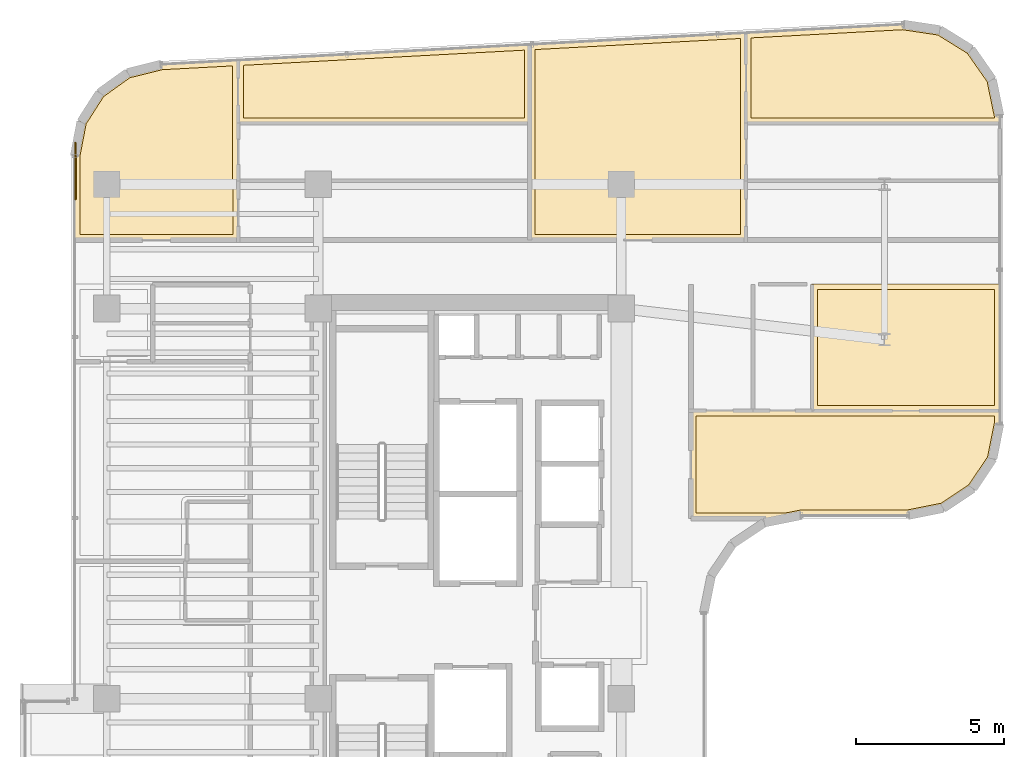
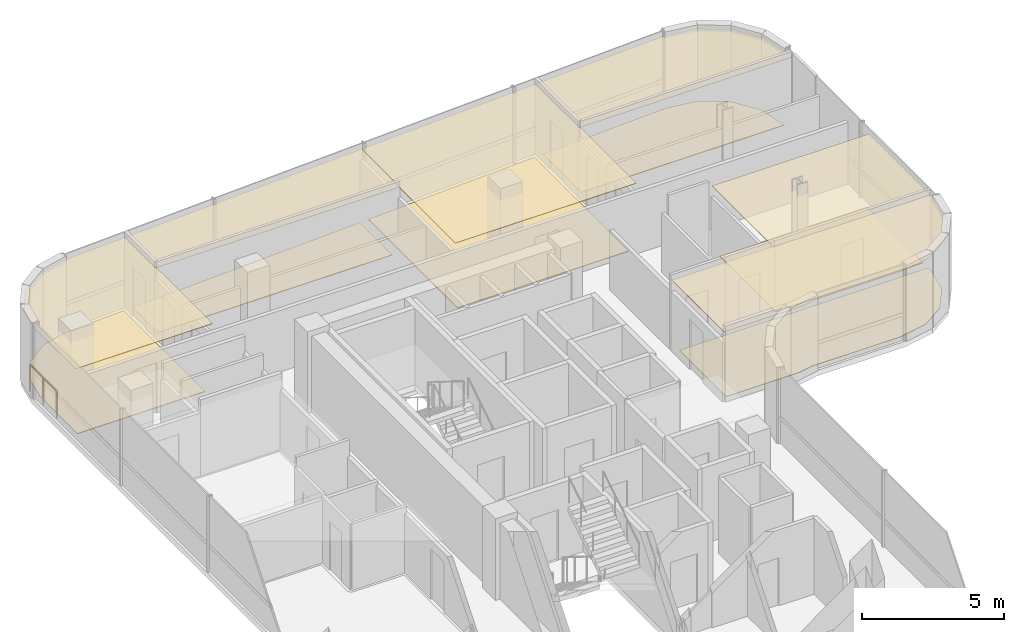
# One storey, part 24 of 24: 12 coverings, 1 railing.
"""IFC4 building model written with IfcOpenShell, lengths in metres."""

import ifcopenshell
import ifcopenshell.guid

model = None  # the IFC model being written
_history = None  # IfcOwnerHistory: only IFC2X3 demands one
_inside = {}  # id of a spatial element -> (the spatial element, [elements in it])
_under = {}  # id of a project, library or spatial element -> (it, [spatial elements below it])
_declared = {}  # id of a project -> (the project, [libraries it declares])
_typed = {}  # id of a type object -> (the type object, [elements of that type])
_made_of = {}  # id of a material, layer set ... -> (it, [elements and type objects made of it])


def new_model(schema):
    """Start an empty IFC model of exactly this schema.

    Asked for "IFC4X3", IfcOpenShell would pick the latest addendum, in which some entities
    have other attributes; the version numbers below select the first issue.
    IFC2X3 requires an IfcOwnerHistory on every rooted entity: one is made here for all.
    """
    global model, _history
    if schema == "IFC4X3":
        model = ifcopenshell.file(schema_version=(4, 3, 0, 0))
    else:
        model = ifcopenshell.file(schema=schema)
    _inside.clear()
    _under.clear()
    _declared.clear()
    _typed.clear()
    _made_of.clear()
    _history = None
    if model.schema == "IFC2X3":
        org = make("IfcOrganization", Name="unknown")
        user = make(
            "IfcPersonAndOrganization",
            ThePerson=make("IfcPerson", FamilyName="unknown"),
            TheOrganization=org,
        )
        app = make(
            "IfcApplication",
            ApplicationDeveloper=org,
            Version="unknown",
            ApplicationFullName="unknown",
            ApplicationIdentifier="unknown",
        )
        _history = make(
            "IfcOwnerHistory",
            OwningUser=user,
            OwningApplication=app,
            ChangeAction="ADDED",
            CreationDate=0,
        )
    return model


def make(cls, **values):
    """One entity of the class cls with the attributes given. An attribute that is None is left unset."""
    return model.create_entity(
        cls, **{name: value for name, value in values.items() if value is not None}
    )


def rooted(cls, **values):
    """An entity with a GlobalId (a new one), such as an element, a storey or a relation."""
    return make(cls, GlobalId=ifcopenshell.guid.new(), OwnerHistory=_history, **values)


def si_unit(unit_type, name, prefix=None):
    """IfcSIUnit, for example si_unit("LENGTHUNIT", "METRE", prefix="MILLI")."""
    return make("IfcSIUnit", UnitType=unit_type, Prefix=prefix, Name=name)


def assignment(units):
    """IfcUnitAssignment: the units of a project."""
    return None if units is None else make("IfcUnitAssignment", Units=units)


def point(xyz):
    """IfcCartesianPoint."""
    return None if xyz is None else make("IfcCartesianPoint", Coordinates=xyz)


def direction(xyz):
    """IfcDirection."""
    return None if xyz is None else make("IfcDirection", DirectionRatios=xyz)


def frame(location, z_axis=None, x_axis=None):
    """IfcAxis2Placement3D, a coordinate frame: its origin and axes. An axis left out is left unset."""
    return make(
        "IfcAxis2Placement3D",
        Location=point(location),
        Axis=direction(z_axis),
        RefDirection=direction(x_axis),
    )


def frame_2d(location, x_axis=None):
    """IfcAxis2Placement2D, a coordinate frame in the plane: its origin and x axis."""
    return make(
        "IfcAxis2Placement2D", Location=point(location), RefDirection=direction(x_axis)
    )


def origin():
    """The frame at (0, 0, 0) with its axes left unset."""
    return frame((0.0, 0.0, 0.0))


def origin_2d():
    """The frame at (0, 0) in the plane with its x axis left unset."""
    return frame_2d((0.0, 0.0))


def place(relative_to, where):
    """IfcLocalPlacement: puts the frame where relative to a parent placement (None: the world)."""
    return make(
        "IfcLocalPlacement", PlacementRelTo=relative_to, RelativePlacement=where
    )


def context(
    kind, dimensions, precision=None, world=None, true_north=None, identifier=None
):
    """IfcGeometricRepresentationContext, for example the 3D "Model" context."""
    return make(
        "IfcGeometricRepresentationContext",
        ContextIdentifier=identifier,
        ContextType=kind,
        CoordinateSpaceDimension=dimensions,
        Precision=precision,
        WorldCoordinateSystem=world,
        TrueNorth=true_north,
    )


def subcontext(parent, identifier, kind, view, scale=None):
    """IfcGeometricRepresentationSubContext, for example "Body" below "Model"."""
    return make(
        "IfcGeometricRepresentationSubContext",
        ContextIdentifier=identifier,
        ContextType=kind,
        ParentContext=parent,
        TargetScale=scale,
        TargetView=view,
    )


def project(units=None, contexts=None):
    """IfcProject with its units and contexts."""
    return rooted(
        "IfcProject",
        Name="project",
        RepresentationContexts=contexts,
        UnitsInContext=assignment(units),
    )


def spatial(cls, under=None, at=None, **own):
    """A site, building, storey or space (cls), placed at a placement, below another one or the project."""
    s = rooted(cls, ObjectPlacement=at, **own)
    if under is not None:
        _under.setdefault(under.id(), (under, []))[1].append(s)
    return s


def polyline(points):
    """IfcPolyline through the points."""
    return make("IfcPolyline", Points=[point(p) for p in points])


def profile(cls, at=None, kind="AREA", **sizes):
    """A parametric profile (cls). Its sizes go by their IFC names, for example OverallWidth=200.0."""
    return make(cls, ProfileType=kind, Position=at, **sizes)


def circle(**sizes):
    """IfcCircleProfileDef."""
    return profile("IfcCircleProfileDef", **sizes)


def outline(outer, holes=None, kind="AREA"):
    """IfcArbitraryClosedProfileDef: a profile drawn as a closed curve; with holes, ...WithVoids."""
    if holes is None:
        return make("IfcArbitraryClosedProfileDef", ProfileType=kind, OuterCurve=outer)
    return make(
        "IfcArbitraryProfileDefWithVoids",
        ProfileType=kind,
        OuterCurve=outer,
        InnerCurves=holes,
    )


def extrude(swept, where, along, depth):
    """IfcExtrudedAreaSolid: the profile swept, set in the frame where, extruded along a direction by depth."""
    return make(
        "IfcExtrudedAreaSolid",
        SweptArea=swept,
        Position=where,
        ExtrudedDirection=direction(along),
        Depth=depth,
    )


def shape(context_of_items, identifier, shape_type, items):
    """IfcShapeRepresentation: the items that make up one representation, for example the "Body"."""
    return make(
        "IfcShapeRepresentation",
        ContextOfItems=context_of_items,
        RepresentationIdentifier=identifier,
        RepresentationType=shape_type,
        Items=items,
    )


def material(Name=None, Category=None):
    """IfcMaterial."""
    return make("IfcMaterial", Name=Name, Category=Category)


def layer(
    of_material, thickness, ventilated=None, Name=None, Category=None, Priority=None
):
    """IfcMaterialLayer: one layer of a wall or slab, of a material (None: an air gap)."""
    return make(
        "IfcMaterialLayer",
        Material=of_material,
        LayerThickness=thickness,
        IsVentilated=ventilated,
        Name=Name,
        Category=Category,
        Priority=Priority,
    )


def layer_set(layers, Name=None):
    """IfcMaterialLayerSet."""
    return make("IfcMaterialLayerSet", MaterialLayers=layers, LayerSetName=Name)


def made_of(thing, what):
    """Note that an element or type object is made of a material, layer set ...; save() writes the relation."""
    if what is not None:
        _made_of.setdefault(what.id(), (what, []))[1].append(thing)
    return thing


def type_object(cls, material=None, **own):
    """A type object (cls), such as IfcWallType, which elements share."""
    return made_of(rooted(cls, **own), material)


def element(
    cls,
    number,
    at=None,
    inside=None,
    cuts=None,
    type_object=None,
    material=None,
    context=None,
    identifier="Body",
    shape_type=None,
    held_by="IfcProductDefinitionShape",
    body=None,
    shapes=None,
    **own,
):
    """One element of the class cls, such as IfcWall. Its Tag is "e" and its number.

    at: its placement. inside: the storey or other place that contains it. cuts: it is an
    opening in that element (IfcRelVoidsElement). A single representation is given by context,
    identifier, shape_type and body (its items); several are given by shapes. held_by: the class
    of the entity that holds the representations. save() writes the other relations.
    """
    e = rooted(cls, Tag="e%d" % number, ObjectPlacement=at, **own)
    if body is not None:
        shapes = [shape(context, identifier, shape_type, body)]
    if shapes is not None:
        e.Representation = make(held_by, Representations=shapes)
    if inside is not None:
        _inside.setdefault(inside.id(), (inside, []))[1].append(e)
    if cuts is not None:
        rooted(
            "IfcRelVoidsElement", RelatingBuildingElement=cuts, RelatedOpeningElement=e
        )
    if type_object is not None:
        _typed.setdefault(type_object.id(), (type_object, []))[1].append(e)
    return made_of(e, material)


def aggregate(whole, parts):
    """IfcRelAggregates: a whole, such as a stair, and the parts it consists of."""
    return rooted("IfcRelAggregates", RelatingObject=whole, RelatedObjects=parts)


def save(model, path):
    """Write the relations noted so far, then the file.

    IfcRelAggregates (storeys below a building ...), IfcRelContainedInSpatialStructure (elements
    in a storey), IfcRelDefinesByType, IfcRelAssociatesMaterial and IfcRelDeclares: one each for
    every whole, place, type object, material and project.
    """
    for whole, parts in _under.values():
        aggregate(whole, parts)
    for where, things in _inside.values():
        rooted(
            "IfcRelContainedInSpatialStructure",
            RelatedElements=things,
            RelatingStructure=where,
        )
    for kind, things in _typed.values():
        rooted("IfcRelDefinesByType", RelatedObjects=things, RelatingType=kind)
    for what, things in _made_of.values():
        rooted("IfcRelAssociatesMaterial", RelatedObjects=things, RelatingMaterial=what)
    for by, libraries in _declared.values():
        rooted("IfcRelDeclares", RelatingContext=by, RelatedDefinitions=libraries)
    model.write(path)


model = new_model("IFC4")

# Units and contexts
model_context = context("Model", 3, precision=1e-05, world=origin(), true_north=direction((0.0, 1.0)))
body_context = subcontext(model_context, "Body", "Model", "MODEL_VIEW")
ifc_project = project(units=[si_unit("LENGTHUNIT", "METRE"), si_unit("AREAUNIT", "SQUARE_METRE"), si_unit("VOLUMEUNIT", "CUBIC_METRE"), si_unit("PLANEANGLEUNIT", "RADIAN"), si_unit("MASSUNIT", "GRAM", prefix="KILO")], contexts=[model_context])

# Site, building, storey
site_placement = place(None, origin())
site = spatial("IfcSite", under=ifc_project, at=site_placement, CompositionType="ELEMENT")
building_placement = place(site_placement, origin())
building = spatial("IfcBuilding", under=site, at=building_placement, Name="Valdorenza Pilgrim Sanctuary Tower", CompositionType="ELEMENT")
storey_placement = place(building_placement, frame((0.0, 0.0, 230.0)))
storey = spatial("IfcBuildingStorey", under=building, at=storey_placement, Name="L59", CompositionType="ELEMENT", Elevation=230.0)

# Coverings
ifc_material_1 = material(Name="Micro-perforated acoustic mineral ceiling tile", Category="gypsum")
ifc_layer_1 = layer(ifc_material_1, 0.02490234375, Name="Micro-perforated acoustic mineral ceiling tile")
ifc_layer_set_1 = layer_set([ifc_layer_1], Name="Micro-perforated acoustic mineral ceiling tile")
covering_type_1 = type_object("IfcCoveringType", Name="COV-CLG-ACU", PredefinedType="CEILING", material=ifc_layer_set_1)
covering_1_placement = place(storey_placement, frame((0.0, 0.0, 2.9599609375)))
element("IfcCovering", 1, at=covering_1_placement, inside=storey, type_object=covering_type_1, Name="L59 North Sanctuary Apartment L59-N1 Bedroom Acoustic Ceiling", PredefinedType="CEILING", context=body_context, shape_type="SweptSolid", body=[
    extrude(outline(polyline([(-25.360595703125, 16.85498046875), (-25.362060546875, 16.85498046875), (-25.363525390625, 16.855224609375), (-25.364990234375, 16.855712890625), (-25.3662109375, 16.856201171875), (-25.36767578125, 16.856689453125), (-25.368896484375, 16.857421875), (-25.3701171875, 16.8583984375), (-25.37109375, 16.859375), (-25.372314453125, 16.860595703125), (-25.373046875, 16.86181640625), (-25.373779296875, 16.86279296875), (-25.37451171875, 16.8642578125), (-25.375, 16.865478515625), (-25.375244140625, 16.8671875), (-25.37548828125, 16.868408203125), (-25.37548828125, 16.8701171875), (-25.37548828125, 18.994140625), (-25.37548828125, 18.99560546875), (-25.375244140625, 18.997314453125), (-25.375, 18.998779296875), (-25.37451171875, 19.0), (-25.373779296875, 19.00146484375), (-25.372802734375, 19.002685546875), (-25.3720703125, 19.00390625), (-25.37109375, 19.0048828125), (-25.369873046875, 19.006103515625), (-25.36865234375, 19.0068359375), (-25.3671875, 19.007568359375), (-25.36572265625, 19.00830078125), (-25.364501953125, 19.0087890625), (-25.36279296875, 19.009033203125), (-25.361328125, 19.00927734375), (-15.500732421875, 19.541259765625), (-15.49951171875, 19.541259765625), (-15.497802734375, 19.541259765625), (-15.49658203125, 19.541015625), (-15.4951171875, 19.54052734375), (-15.493896484375, 19.5400390625), (-15.49267578125, 19.539306640625), (-15.4912109375, 19.53857421875), (-15.490234375, 19.53759765625), (-15.4892578125, 19.53662109375), (-15.48828125, 19.53564453125), (-15.4873046875, 19.534423828125), (-15.48681640625, 19.533203125), (-15.486083984375, 19.531982421875), (-15.485595703125, 19.530517578125), (-15.4853515625, 19.529296875), (-15.485107421875, 19.52783203125), (-15.485107421875, 19.5263671875), (-15.485107421875, 16.8701171875), (-15.485107421875, 16.868408203125), (-15.4853515625, 16.8671875), (-15.485595703125, 16.865478515625), (-15.486083984375, 16.8642578125), (-15.48681640625, 16.86279296875), (-15.487548828125, 16.86181640625), (-15.48828125, 16.860595703125), (-15.489501953125, 16.859375), (-15.490478515625, 16.8583984375), (-15.49169921875, 16.857421875), (-15.492919921875, 16.856689453125), (-15.494384765625, 16.856201171875), (-15.49560546875, 16.855712890625), (-15.4970703125, 16.855224609375), (-15.49853515625, 16.85498046875), (-15.5, 16.85498046875), (-25.360595703125, 16.85498046875)])), origin(), (0.0, 0.0, 1.0), 0.025146484375),
])
covering_2_placement = place(storey_placement, frame((0.0, 0.0, 2.9599609375)))
element("IfcCovering", 2, at=covering_2_placement, inside=storey, type_object=covering_type_1, Name="L59 North Sanctuary Apartment L59-N1 Living Room Acoustic Ceiling", PredefinedType="CEILING", context=body_context, shape_type="SweptSolid", body=[
    extrude(outline(polyline([(-30.889892578125, 12.905029296875), (-30.8916015625, 12.905029296875), (-30.892822265625, 12.9052734375), (-30.894287109375, 12.905517578125), (-30.895751953125, 12.906005859375), (-30.897216796875, 12.90673828125), (-30.898193359375, 12.907470703125), (-30.8994140625, 12.908447265625), (-30.900634765625, 12.909423828125), (-30.901611328125, 12.910400390625), (-30.902587890625, 12.91162109375), (-30.9033203125, 12.912841796875), (-30.90380859375, 12.914306640625), (-30.904296875, 12.91552734375), (-30.90478515625, 12.9169921875), (-30.90478515625, 12.91845703125), (-30.905029296875, 12.919921875), (-30.905029296875, 15.757568359375), (-30.90478515625, 15.759033203125), (-30.90478515625, 15.760498046875), (-30.683349609375, 16.9140625), (-30.68310546875, 16.915283203125), (-30.6826171875, 16.916748046875), (-30.681884765625, 16.918212890625), (-30.681396484375, 16.919189453125), (-30.05419921875, 17.89990234375), (-30.053466796875, 17.901123046875), (-30.052490234375, 17.90234375), (-30.051513671875, 17.9033203125), (-30.05029296875, 17.904052734375), (-29.104736328125, 18.5830078125), (-29.103515625, 18.583740234375), (-29.102294921875, 18.58447265625), (-29.10107421875, 18.5849609375), (-29.099609375, 18.58544921875), (-27.959716796875, 18.86865234375), (-27.958251953125, 18.868896484375), (-27.956787109375, 18.869140625), (-25.36328125, 19.009033203125), (-25.362060546875, 19.009033203125), (-25.360595703125, 19.0087890625), (-25.359130859375, 19.0087890625), (-25.35791015625, 19.00830078125), (-25.3564453125, 19.0078125), (-25.355224609375, 19.007080078125), (-25.35400390625, 19.00634765625), (-25.352783203125, 19.005615234375), (-25.351806640625, 19.00439453125), (-25.350830078125, 19.00341796875), (-25.35009765625, 19.002197265625), (-25.349365234375, 19.0009765625), (-25.3486328125, 18.999755859375), (-25.34814453125, 18.998291015625), (-25.347900390625, 18.996826171875), (-25.34765625, 18.99560546875), (-25.34765625, 18.994140625), (-25.34765625, 16.87548828125), (-25.347412109375, 16.875), (-25.3466796875, 16.87353515625), (-25.34619140625, 16.872314453125), (-25.345947265625, 16.870849609375), (-25.345703125, 16.869384765625), (-25.345703125, 16.867919921875), (-25.345703125, 12.919921875), (-25.345703125, 12.91845703125), (-25.345947265625, 12.9169921875), (-25.34619140625, 12.91552734375), (-25.3466796875, 12.914306640625), (-25.347412109375, 12.912841796875), (-25.34814453125, 12.91162109375), (-25.34912109375, 12.910400390625), (-25.35009765625, 12.909423828125), (-25.35107421875, 12.908447265625), (-25.352294921875, 12.907470703125), (-25.353515625, 12.90673828125), (-25.35498046875, 12.906005859375), (-25.356201171875, 12.905517578125), (-25.357666015625, 12.9052734375), (-25.359130859375, 12.905029296875), (-25.360595703125, 12.905029296875), (-30.889892578125, 12.905029296875)])), origin(), (0.0, 0.0, 1.0), 0.025146484375),
])
covering_3_placement = place(storey_placement, frame((0.0, 0.0, 2.9599609375)))
element("IfcCovering", 3, at=covering_3_placement, inside=storey, type_object=covering_type_1, Name="L59 North Sanctuary Apartment L59-N2 Bedroom Acoustic Ceiling", PredefinedType="CEILING", context=body_context, shape_type="SweptSolid", body=[
    extrude(outline(polyline([(-8.20556640625, 19.9208984375), (-8.20556640625, 19.92236328125), (-8.205322265625, 19.923828125), (-8.204833984375, 19.92529296875), (-8.204345703125, 19.9267578125), (-8.20361328125, 19.927978515625), (-8.202880859375, 19.929443359375), (-8.201904296875, 19.9306640625), (-8.200927734375, 19.931640625), (-8.19970703125, 19.9326171875), (-8.198486328125, 19.93359375), (-8.197265625, 19.934326171875), (-8.19580078125, 19.934814453125), (-8.1943359375, 19.935302734375), (-8.19287109375, 19.935546875), (-8.19140625, 19.935791015625), (-2.87841796875, 20.222412109375), (-2.876953125, 20.222412109375), (-2.87548828125, 20.222412109375), (-1.63232421875, 20.035400390625), (-1.630859375, 20.03515625), (-1.62939453125, 20.034912109375), (-1.628173828125, 20.0341796875), (-1.626708984375, 20.033447265625), (-0.568359375, 19.376708984375), (-0.567138671875, 19.3759765625), (-0.56591796875, 19.375), (-0.56494140625, 19.373779296875), (-0.56396484375, 19.372802734375), (0.148681640625, 18.351318359375), (0.1494140625, 18.349853515625), (0.150146484375, 18.3486328125), (0.150634765625, 18.34716796875), (0.151123046875, 18.345703125), (0.40478515625, 17.114501953125), (0.40478515625, 17.11279296875), (0.405029296875, 17.111328125), (0.405029296875, 16.8701171875), (0.40478515625, 16.868408203125), (0.40478515625, 16.8671875), (0.404296875, 16.865478515625), (0.40380859375, 16.8642578125), (0.4033203125, 16.86279296875), (0.402587890625, 16.86181640625), (0.401611328125, 16.860595703125), (0.400634765625, 16.859375), (0.3994140625, 16.8583984375), (0.398193359375, 16.857421875), (0.397216796875, 16.856689453125), (0.395751953125, 16.856201171875), (0.394287109375, 16.855712890625), (0.392822265625, 16.855224609375), (0.3916015625, 16.85498046875), (0.389892578125, 16.85498046875), (-8.190673828125, 16.85498046875), (-8.192138671875, 16.85498046875), (-8.193603515625, 16.855224609375), (-8.195068359375, 16.855712890625), (-8.1962890625, 16.856201171875), (-8.19775390625, 16.856689453125), (-8.198974609375, 16.857421875), (-8.2001953125, 16.8583984375), (-8.201171875, 16.859375), (-8.2021484375, 16.860595703125), (-8.203125, 16.86181640625), (-8.203857421875, 16.86279296875), (-8.20458984375, 16.8642578125), (-8.205078125, 16.865478515625), (-8.205322265625, 16.8671875), (-8.20556640625, 16.868408203125), (-8.20556640625, 16.8701171875), (-8.20556640625, 19.9208984375)])), origin(), (0.0, 0.0, 1.0), 0.025146484375),
])
covering_4_placement = place(storey_placement, frame((0.0, 0.0, 2.9599609375)))
element("IfcCovering", 4, at=covering_4_placement, inside=storey, type_object=covering_type_1, Name="L59 North Sanctuary Apartment L59-N2 Living Room Acoustic Ceiling", PredefinedType="CEILING", context=body_context, shape_type="SweptSolid", body=[
    extrude(outline(polyline([(-15.512939453125, 14.918212890625), (-15.51318359375, 14.9189453125), (-15.51318359375, 14.92041015625), (-15.51318359375, 14.922119140625), (-15.51318359375, 14.923583984375), (-15.512939453125, 14.923828125), (-15.512939453125, 16.8662109375), (-15.51318359375, 16.866943359375), (-15.51318359375, 16.868408203125), (-15.51318359375, 16.8701171875), (-15.51318359375, 16.87158203125), (-15.512939453125, 16.871826171875), (-15.512939453125, 19.5263671875), (-15.512939453125, 19.5263671875), (-15.512939453125, 19.527099609375), (-15.5126953125, 19.52880859375), (-15.5126953125, 19.530029296875), (-15.51220703125, 19.531494140625), (-15.51171875, 19.532958984375), (-15.510986328125, 19.5341796875), (-15.510009765625, 19.535400390625), (-15.509033203125, 19.53662109375), (-15.508056640625, 19.53759765625), (-15.507080078125, 19.53857421875), (-15.505859375, 19.539306640625), (-15.50439453125, 19.5400390625), (-15.503173828125, 19.54052734375), (-15.501708984375, 19.541015625), (-15.500244140625, 19.541259765625), (-15.498779296875, 19.54150390625), (-8.193359375, 19.935791015625), (-8.19189453125, 19.935791015625), (-8.1904296875, 19.935546875), (-8.189208984375, 19.935302734375), (-8.187744140625, 19.934814453125), (-8.186279296875, 19.934326171875), (-8.185302734375, 19.93359375), (-8.183837890625, 19.93310546875), (-8.182861328125, 19.93212890625), (-8.181884765625, 19.93115234375), (-8.180908203125, 19.929931640625), (-8.179931640625, 19.928955078125), (-8.17919921875, 19.927490234375), (-8.1787109375, 19.92626953125), (-8.17822265625, 19.925048828125), (-8.177978515625, 19.923583984375), (-8.177734375, 19.922119140625), (-8.177490234375, 19.920654296875), (-8.177490234375, 16.87548828125), (-8.17724609375, 16.875), (-8.1767578125, 16.87353515625), (-8.17626953125, 16.872314453125), (-8.17578125, 16.870849609375), (-8.17578125, 16.869384765625), (-8.175537109375, 16.867919921875), (-8.175537109375, 12.919921875), (-8.17578125, 12.91845703125), (-8.17578125, 12.9169921875), (-8.17626953125, 12.91552734375), (-8.1767578125, 12.914306640625), (-8.177490234375, 12.912841796875), (-8.177978515625, 12.91162109375), (-8.178955078125, 12.910400390625), (-8.179931640625, 12.909423828125), (-8.18115234375, 12.908447265625), (-8.182373046875, 12.907470703125), (-8.18359375, 12.90673828125), (-8.184814453125, 12.906005859375), (-8.186279296875, 12.905517578125), (-8.187744140625, 12.9052734375), (-8.189208984375, 12.905029296875), (-8.190673828125, 12.905029296875), (-15.498046875, 12.905029296875), (-15.49951171875, 12.905029296875), (-15.5009765625, 12.9052734375), (-15.50244140625, 12.905517578125), (-15.503662109375, 12.906005859375), (-15.505126953125, 12.90673828125), (-15.50634765625, 12.907470703125), (-15.507568359375, 12.908447265625), (-15.508544921875, 12.909423828125), (-15.509521484375, 12.910400390625), (-15.510498046875, 12.91162109375), (-15.51123046875, 12.912841796875), (-15.511962890625, 12.914306640625), (-15.512451171875, 12.91552734375), (-15.5126953125, 12.9169921875), (-15.512939453125, 12.91845703125), (-15.512939453125, 12.919921875), (-15.512939453125, 14.918212890625)])), origin(), (0.0, 0.0, 1.0), 0.025146484375),
])
covering_5_placement = place(storey_placement, frame((0.0, 0.0, 2.9599609375)))
element("IfcCovering", 5, at=covering_5_placement, inside=storey, type_object=covering_type_1, Name="L59 East Sanctuary Apartment L59-E1 Bedroom Acoustic Ceiling", PredefinedType="CEILING", context=body_context, shape_type="SweptSolid", body=[
    extrude(outline(polyline([(-5.965087890625, 11.419921875), (-5.96484375, 11.42138671875), (-5.964599609375, 11.4228515625), (-5.96435546875, 11.42431640625), (-5.9638671875, 11.42578125), (-5.963134765625, 11.427001953125), (-5.96240234375, 11.42822265625), (-5.961669921875, 11.429443359375), (-5.960693359375, 11.4306640625), (-5.95947265625, 11.431640625), (-5.958251953125, 11.4326171875), (-5.95703125, 11.43310546875), (-5.955810546875, 11.433837890625), (-5.954345703125, 11.434326171875), (-5.952880859375, 11.434814453125), (-5.951416015625, 11.434814453125), (-5.949951171875, 11.43505859375), (0.389892578125, 11.43505859375), (0.3916015625, 11.434814453125), (0.392822265625, 11.434814453125), (0.394287109375, 11.434326171875), (0.395751953125, 11.433837890625), (0.397216796875, 11.43310546875), (0.398193359375, 11.4326171875), (0.3994140625, 11.431640625), (0.400634765625, 11.4306640625), (0.401611328125, 11.429443359375), (0.402587890625, 11.42822265625), (0.4033203125, 11.427001953125), (0.40380859375, 11.42578125), (0.404296875, 11.42431640625), (0.40478515625, 11.4228515625), (0.40478515625, 11.42138671875), (0.405029296875, 11.419921875), (0.405029296875, 7.143310546875), (0.40478515625, 7.1416015625), (0.40478515625, 7.140380859375), (0.404296875, 7.138916015625), (0.40380859375, 7.137451171875), (0.4033203125, 7.135986328125), (0.402587890625, 7.135009765625), (0.401611328125, 7.1337890625), (0.400634765625, 7.132568359375), (0.3994140625, 7.131591796875), (0.398193359375, 7.130615234375), (0.397216796875, 7.1298828125), (0.395751953125, 7.12939453125), (0.394287109375, 7.12890625), (0.392822265625, 7.12841796875), (0.3916015625, 7.12841796875), (0.389892578125, 7.128173828125), (-5.949951171875, 7.128173828125), (-5.951416015625, 7.12841796875), (-5.952880859375, 7.12841796875), (-5.954345703125, 7.12890625), (-5.955810546875, 7.12939453125), (-5.95703125, 7.1298828125), (-5.958251953125, 7.130615234375), (-5.95947265625, 7.131591796875), (-5.960693359375, 7.132568359375), (-5.961669921875, 7.1337890625), (-5.96240234375, 7.135009765625), (-5.963134765625, 7.135986328125), (-5.9638671875, 7.137451171875), (-5.96435546875, 7.138916015625), (-5.964599609375, 7.140380859375), (-5.96484375, 7.1416015625), (-5.965087890625, 7.143310546875), (-5.965087890625, 11.419921875)])), origin(), (0.0, 0.0, 1.0), 0.025146484375),
])
covering_6_placement = place(storey_placement, frame((0.0, 0.0, 2.9599609375)))
element("IfcCovering", 6, at=covering_6_placement, inside=storey, type_object=covering_type_1, Name="L59 East Sanctuary Apartment L59-E1 Living Room Acoustic Ceiling", PredefinedType="CEILING", context=body_context, shape_type="SweptSolid", body=[
    extrude(outline(polyline([(-10.06494140625, 7.143310546875), (-10.06494140625, 7.144775390625), (-10.064697265625, 7.14599609375), (-10.064453125, 7.147705078125), (-10.06396484375, 7.14892578125), (-10.063232421875, 7.150390625), (-10.0625, 7.151611328125), (-10.0615234375, 7.152587890625), (-10.060546875, 7.15380859375), (-10.0595703125, 7.15478515625), (-10.058349609375, 7.15576171875), (-10.05712890625, 7.156494140625), (-10.0556640625, 7.156982421875), (-10.054443359375, 7.15771484375), (-10.052978515625, 7.157958984375), (-10.051513671875, 7.158203125), (-10.050048828125, 7.158203125), (-5.951904296875, 7.158203125), (-5.95068359375, 7.158203125), (-5.94921875, 7.157958984375), (-5.94775390625, 7.15771484375), (-5.9462890625, 7.156982421875), (-5.945068359375, 7.156494140625), (-5.944580078125, 7.15625), (0.389892578125, 7.15625), (0.3916015625, 7.156005859375), (0.392822265625, 7.156005859375), (0.394287109375, 7.155517578125), (0.395751953125, 7.155029296875), (0.397216796875, 7.154296875), (0.398193359375, 7.15380859375), (0.3994140625, 7.15283203125), (0.400634765625, 7.15185546875), (0.401611328125, 7.150634765625), (0.402587890625, 7.1494140625), (0.4033203125, 7.148193359375), (0.40380859375, 7.14697265625), (0.404296875, 7.1455078125), (0.40478515625, 7.14404296875), (0.40478515625, 7.142578125), (0.405029296875, 7.14111328125), (0.405029296875, 6.710693359375), (0.40478515625, 6.70947265625), (0.40478515625, 6.7080078125), (0.16748046875, 5.515380859375), (0.1669921875, 5.513916015625), (0.16650390625, 5.5126953125), (0.166015625, 5.51123046875), (0.165283203125, 5.510009765625), (-0.504150390625, 4.50830078125), (-0.5048828125, 4.507080078125), (-0.506103515625, 4.506103515625), (-0.507080078125, 4.5048828125), (-0.50830078125, 4.504150390625), (-1.510009765625, 3.834716796875), (-1.51123046875, 3.833984375), (-1.5126953125, 3.83349609375), (-1.513916015625, 3.8330078125), (-1.515380859375, 3.83251953125), (-2.7080078125, 3.59521484375), (-2.70947265625, 3.59521484375), (-2.710693359375, 3.594970703125), (-6.299560546875, 3.594970703125), (-6.309326171875, 3.594482421875), (-6.31884765625, 3.593017578125), (-6.86083984375, 3.4853515625), (-6.8623046875, 3.485107421875), (-6.86376953125, 3.485107421875), (-10.050048828125, 3.485107421875), (-10.051513671875, 3.485107421875), (-10.052978515625, 3.4853515625), (-10.054443359375, 3.485595703125), (-10.0556640625, 3.486083984375), (-10.05712890625, 3.48681640625), (-10.058349609375, 3.487548828125), (-10.0595703125, 3.48828125), (-10.060546875, 3.489501953125), (-10.0615234375, 3.490478515625), (-10.0625, 3.49169921875), (-10.063232421875, 3.492919921875), (-10.06396484375, 3.494384765625), (-10.064453125, 3.49560546875), (-10.064697265625, 3.4970703125), (-10.06494140625, 3.49853515625), (-10.06494140625, 3.5), (-10.06494140625, 7.143310546875)])), origin(), (0.0, 0.0, 1.0), 0.025146484375),
])
ifc_material_2 = material(Name="Engineered European oak timber flooring", Category="wood")
ifc_layer_2 = layer(ifc_material_2, 0.02197265625, Name="Engineered European oak timber flooring")
ifc_layer_set_2 = layer_set([ifc_layer_2], Name="Engineered European oak timber flooring")
covering_type_2 = type_object("IfcCoveringType", Name="COV-FLR-OAK", PredefinedType="FLOORING", material=ifc_layer_set_2)
covering_7_placement = place(storey_placement, origin())
element("IfcCovering", 7, at=covering_7_placement, inside=storey, type_object=covering_type_2, Name="L59 North Sanctuary Apartment L59-N1 Bedroom Flooring", PredefinedType="FLOORING", context=body_context, shape_type="SweptSolid", body=[
    extrude(outline(polyline([(-25.1806640625, 17.050048828125), (-25.1806640625, 18.823486328125), (-15.679931640625, 19.33642578125), (-15.679931640625, 17.050048828125), (-25.1806640625, 17.050048828125)])), origin(), (0.0, 0.0, 1.0), 0.02490234375),
])
covering_8_placement = place(storey_placement, origin())
element("IfcCovering", 8, at=covering_8_placement, inside=storey, type_object=covering_type_2, Name="L59 North Sanctuary Apartment L59-N1 Living Room Flooring", PredefinedType="FLOORING", context=body_context, shape_type="SweptSolid", body=[
    extrude(outline(polyline([(-30.7099609375, 13.10009765625), (-30.7099609375, 15.740478515625), (-30.498291015625, 16.843505859375), (-29.90869140625, 17.765869140625), (-29.019287109375, 18.404541015625), (-27.92919921875, 18.67529296875), (-25.54248046875, 18.80419921875), (-25.54248046875, 16.8701171875), (-25.540771484375, 13.10009765625), (-30.7099609375, 13.10009765625)])), origin(), (0.0, 0.0, 1.0), 0.02490234375),
])
covering_9_placement = place(storey_placement, origin())
element("IfcCovering", 9, at=covering_9_placement, inside=storey, type_object=covering_type_2, Name="L59 North Sanctuary Apartment L59-N2 Bedroom Flooring", PredefinedType="FLOORING", context=body_context, shape_type="SweptSolid", body=[
    extrude(outline(polyline([(-8.010498046875, 19.750244140625), (-2.88623046875, 20.02685546875), (-1.697998046875, 19.84814453125), (-0.70263671875, 19.230712890625), (-0.032470703125, 18.27001953125), (0.2099609375, 17.093017578125), (0.2099609375, 17.050048828125), (-8.010498046875, 17.050048828125), (-8.010498046875, 19.750244140625)])), origin(), (0.0, 0.0, 1.0), 0.02490234375),
])
covering_10_placement = place(storey_placement, origin())
element("IfcCovering", 10, at=covering_10_placement, inside=storey, type_object=covering_type_2, Name="L59 North Sanctuary Apartment L59-N2 Living Room Flooring", PredefinedType="FLOORING", context=body_context, shape_type="SweptSolid", body=[
    extrude(outline(polyline([(-15.318115234375, 14.921630859375), (-15.318115234375, 14.922119140625), (-15.318115234375, 16.867919921875), (-15.318115234375, 16.868896484375), (-15.318115234375, 16.86962890625), (-15.318115234375, 16.8701171875), (-15.318115234375, 19.355712890625), (-8.37255859375, 19.730712890625), (-8.37255859375, 16.8701171875), (-8.37060546875, 13.10009765625), (-15.318115234375, 13.10009765625), (-15.318115234375, 14.919921875), (-15.318115234375, 14.9208984375), (-15.318115234375, 14.921630859375)])), origin(), (0.0, 0.0, 1.0), 0.02490234375),
])
covering_11_placement = place(storey_placement, origin())
element("IfcCovering", 11, at=covering_11_placement, inside=storey, type_object=covering_type_2, Name="L59 East Sanctuary Apartment L59-E1 Bedroom Flooring", PredefinedType="FLOORING", context=body_context, shape_type="SweptSolid", body=[
    extrude(outline(polyline([(-5.77001953125, 11.239990234375), (0.2099609375, 11.239990234375), (0.2099609375, 7.3232421875), (-5.77001953125, 7.3232421875), (-5.77001953125, 11.239990234375)])), origin(), (0.0, 0.0, 1.0), 0.02490234375),
])
covering_12_placement = place(storey_placement, origin())
element("IfcCovering", 12, at=covering_12_placement, inside=storey, type_object=covering_type_2, Name="L59 East Sanctuary Apartment L59-E1 Living Room Flooring", PredefinedType="FLOORING", context=body_context, shape_type="SweptSolid", body=[
    extrude(outline(polyline([(-9.8701171875, 6.963134765625), (-5.976806640625, 6.963134765625), (-5.976806640625, 6.963134765625), (-5.9765625, 6.963134765625), (-5.958984375, 6.96142578125), (-5.958740234375, 6.96142578125), (-5.949951171875, 6.961181640625), (0.2099609375, 6.961181640625), (0.2099609375, 6.728515625), (-0.016845703125, 5.588623046875), (-0.646484375, 4.646484375), (-1.588623046875, 4.016845703125), (-2.728515625, 3.7900390625), (-6.300048828125, 3.7900390625), (-6.308837890625, 3.789794921875), (-6.319580078125, 3.789306640625), (-6.337158203125, 3.78759765625), (-6.347900390625, 3.785888671875), (-6.356689453125, 3.784423828125), (-6.881591796875, 3.679931640625), (-9.8701171875, 3.679931640625), (-9.8701171875, 6.963134765625)])), origin(), (0.0, 0.0, 1.0), 0.02490234375),
])

# Railing
ifc_material_3 = material(Name="Stainless steel Grade 316", Category="steel")
railing_type = type_object("IfcRailingType", Name="RLG-GRD-1120", PredefinedType="GUARDRAIL", material=ifc_material_3)
railing_placement = place(storey_placement, frame((-30.860107421875, 14.300048828125, 0.0)))
element("IfcRailing", 13, at=railing_placement, inside=storey, type_object=railing_type, Name="L59 NW Tangent Safety Sill Guard", PredefinedType="GUARDRAIL", context=body_context, shape_type="SweptSolid", body=[
    extrude(circle(Radius=0.02392578125, at=origin_2d()), frame((0.0, 0.0, 1.17578125), z_axis=(0.0, 1.0, 0.0), x_axis=(-1.0, 0.0, 0.0)), (0.0, 0.0, 1.0), 1.89990234375),
    extrude(circle(Radius=0.02099609375, at=origin_2d()), origin(), (0.0, 0.0, 1.0), 1.15185546875),
    extrude(circle(Radius=0.02099609375, at=origin_2d()), frame((0.0, 0.949951171875, 0.0)), (0.0, 0.0, 1.0), 1.15185546875),
    extrude(circle(Radius=0.02099609375, at=origin_2d()), frame((0.0, 1.89990234375, 0.0)), (0.0, 0.0, 1.0), 1.15185546875),
])

save(model, "model.ifc")
